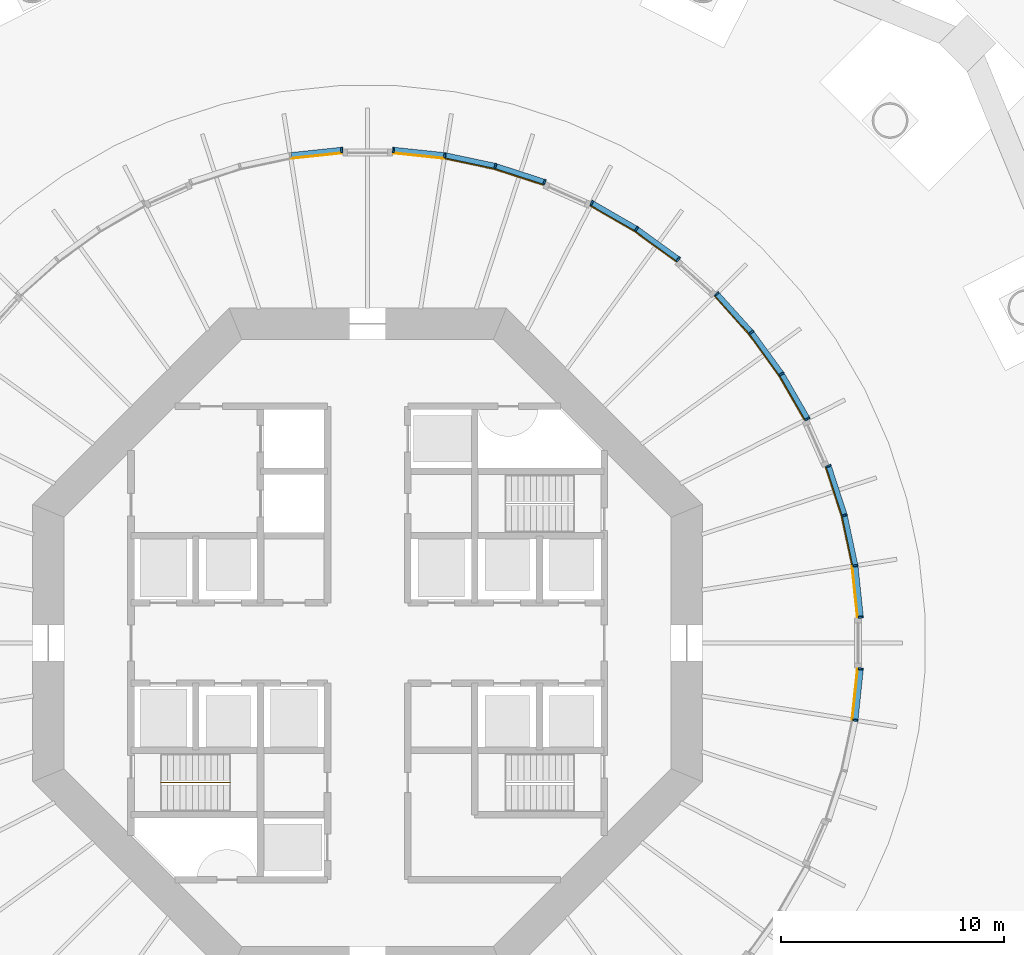
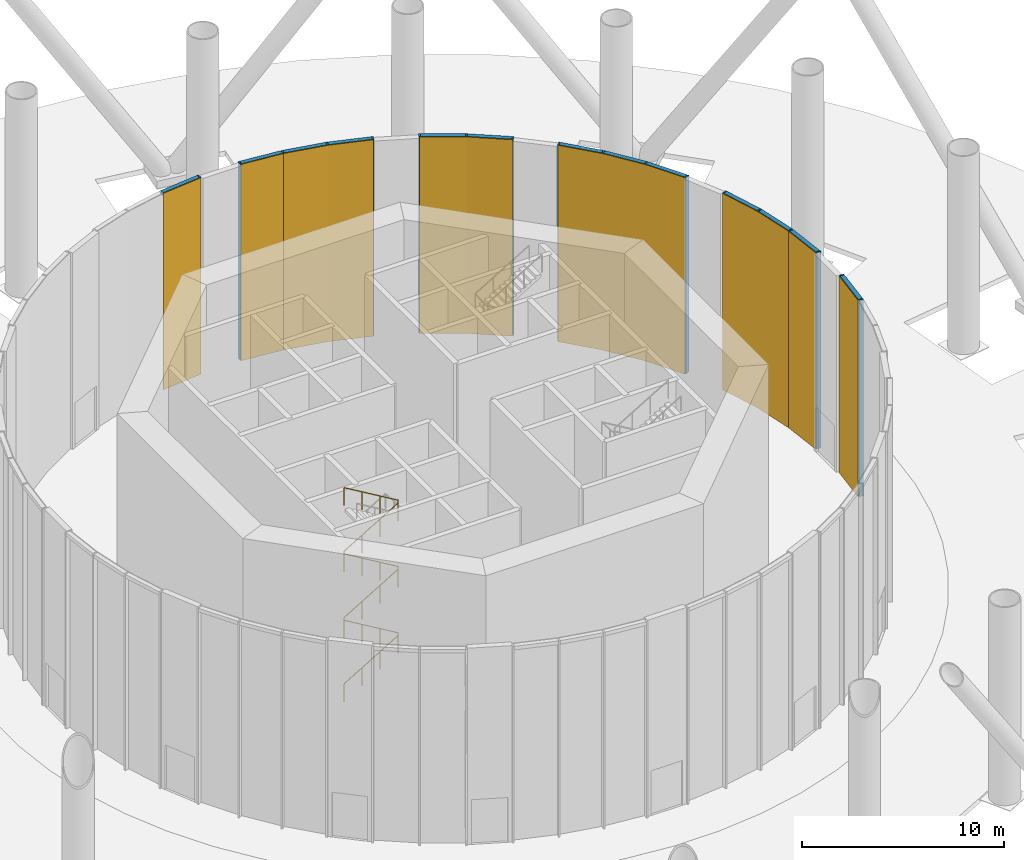
# One storey, part 10 of 12: 31 members, 8 curtain walls, 1 railing.
"""IFC4 building model written with IfcOpenShell, lengths in metres."""

import ifcopenshell
import ifcopenshell.guid

model = None  # the IFC model being written
_history = None  # IfcOwnerHistory: only IFC2X3 demands one
_inside = {}  # id of a spatial element -> (the spatial element, [elements in it])
_under = {}  # id of a project, library or spatial element -> (it, [spatial elements below it])
_declared = {}  # id of a project -> (the project, [libraries it declares])
_typed = {}  # id of a type object -> (the type object, [elements of that type])
_made_of = {}  # id of a material, layer set ... -> (it, [elements and type objects made of it])


def new_model(schema):
    """Start an empty IFC model of exactly this schema.

    Asked for "IFC4X3", IfcOpenShell would pick the latest addendum, in which some entities
    have other attributes; the version numbers below select the first issue.
    IFC2X3 requires an IfcOwnerHistory on every rooted entity: one is made here for all.
    """
    global model, _history
    if schema == "IFC4X3":
        model = ifcopenshell.file(schema_version=(4, 3, 0, 0))
    else:
        model = ifcopenshell.file(schema=schema)
    _inside.clear()
    _under.clear()
    _declared.clear()
    _typed.clear()
    _made_of.clear()
    _history = None
    if model.schema == "IFC2X3":
        org = make("IfcOrganization", Name="unknown")
        user = make(
            "IfcPersonAndOrganization",
            ThePerson=make("IfcPerson", FamilyName="unknown"),
            TheOrganization=org,
        )
        app = make(
            "IfcApplication",
            ApplicationDeveloper=org,
            Version="unknown",
            ApplicationFullName="unknown",
            ApplicationIdentifier="unknown",
        )
        _history = make(
            "IfcOwnerHistory",
            OwningUser=user,
            OwningApplication=app,
            ChangeAction="ADDED",
            CreationDate=0,
        )
    return model


def make(cls, **values):
    """One entity of the class cls with the attributes given. An attribute that is None is left unset."""
    return model.create_entity(
        cls, **{name: value for name, value in values.items() if value is not None}
    )


def rooted(cls, **values):
    """An entity with a GlobalId (a new one), such as an element, a storey or a relation."""
    return make(cls, GlobalId=ifcopenshell.guid.new(), OwnerHistory=_history, **values)


def si_unit(unit_type, name, prefix=None):
    """IfcSIUnit, for example si_unit("LENGTHUNIT", "METRE", prefix="MILLI")."""
    return make("IfcSIUnit", UnitType=unit_type, Prefix=prefix, Name=name)


def assignment(units):
    """IfcUnitAssignment: the units of a project."""
    return None if units is None else make("IfcUnitAssignment", Units=units)


def point(xyz):
    """IfcCartesianPoint."""
    return None if xyz is None else make("IfcCartesianPoint", Coordinates=xyz)


def direction(xyz):
    """IfcDirection."""
    return None if xyz is None else make("IfcDirection", DirectionRatios=xyz)


def frame(location, z_axis=None, x_axis=None):
    """IfcAxis2Placement3D, a coordinate frame: its origin and axes. An axis left out is left unset."""
    return make(
        "IfcAxis2Placement3D",
        Location=point(location),
        Axis=direction(z_axis),
        RefDirection=direction(x_axis),
    )


def frame_2d(location, x_axis=None):
    """IfcAxis2Placement2D, a coordinate frame in the plane: its origin and x axis."""
    return make(
        "IfcAxis2Placement2D", Location=point(location), RefDirection=direction(x_axis)
    )


def origin():
    """The frame at (0, 0, 0) with its axes left unset."""
    return frame((0.0, 0.0, 0.0))


def origin_2d():
    """The frame at (0, 0) in the plane with its x axis left unset."""
    return frame_2d((0.0, 0.0))


def place(relative_to, where):
    """IfcLocalPlacement: puts the frame where relative to a parent placement (None: the world)."""
    return make(
        "IfcLocalPlacement", PlacementRelTo=relative_to, RelativePlacement=where
    )


def context(
    kind, dimensions, precision=None, world=None, true_north=None, identifier=None
):
    """IfcGeometricRepresentationContext, for example the 3D "Model" context."""
    return make(
        "IfcGeometricRepresentationContext",
        ContextIdentifier=identifier,
        ContextType=kind,
        CoordinateSpaceDimension=dimensions,
        Precision=precision,
        WorldCoordinateSystem=world,
        TrueNorth=true_north,
    )


def subcontext(parent, identifier, kind, view, scale=None):
    """IfcGeometricRepresentationSubContext, for example "Body" below "Model"."""
    return make(
        "IfcGeometricRepresentationSubContext",
        ContextIdentifier=identifier,
        ContextType=kind,
        ParentContext=parent,
        TargetScale=scale,
        TargetView=view,
    )


def project(units=None, contexts=None):
    """IfcProject with its units and contexts."""
    return rooted(
        "IfcProject",
        Name="project",
        RepresentationContexts=contexts,
        UnitsInContext=assignment(units),
    )


def spatial(cls, under=None, at=None, **own):
    """A site, building, storey or space (cls), placed at a placement, below another one or the project."""
    s = rooted(cls, ObjectPlacement=at, **own)
    if under is not None:
        _under.setdefault(under.id(), (under, []))[1].append(s)
    return s


def polyline(points):
    """IfcPolyline through the points."""
    return make("IfcPolyline", Points=[point(p) for p in points])


def profile(cls, at=None, kind="AREA", **sizes):
    """A parametric profile (cls). Its sizes go by their IFC names, for example OverallWidth=200.0."""
    return make(cls, ProfileType=kind, Position=at, **sizes)


def rectangle(**sizes):
    """IfcRectangleProfileDef."""
    return profile("IfcRectangleProfileDef", **sizes)


def circle(**sizes):
    """IfcCircleProfileDef."""
    return profile("IfcCircleProfileDef", **sizes)


def outline(outer, holes=None, kind="AREA"):
    """IfcArbitraryClosedProfileDef: a profile drawn as a closed curve; with holes, ...WithVoids."""
    if holes is None:
        return make("IfcArbitraryClosedProfileDef", ProfileType=kind, OuterCurve=outer)
    return make(
        "IfcArbitraryProfileDefWithVoids",
        ProfileType=kind,
        OuterCurve=outer,
        InnerCurves=holes,
    )


def extrude(swept, where, along, depth):
    """IfcExtrudedAreaSolid: the profile swept, set in the frame where, extruded along a direction by depth."""
    return make(
        "IfcExtrudedAreaSolid",
        SweptArea=swept,
        Position=where,
        ExtrudedDirection=direction(along),
        Depth=depth,
    )


def shape(context_of_items, identifier, shape_type, items):
    """IfcShapeRepresentation: the items that make up one representation, for example the "Body"."""
    return make(
        "IfcShapeRepresentation",
        ContextOfItems=context_of_items,
        RepresentationIdentifier=identifier,
        RepresentationType=shape_type,
        Items=items,
    )


def material(Name=None, Category=None):
    """IfcMaterial."""
    return make("IfcMaterial", Name=Name, Category=Category)


def layer(
    of_material, thickness, ventilated=None, Name=None, Category=None, Priority=None
):
    """IfcMaterialLayer: one layer of a wall or slab, of a material (None: an air gap)."""
    return make(
        "IfcMaterialLayer",
        Material=of_material,
        LayerThickness=thickness,
        IsVentilated=ventilated,
        Name=Name,
        Category=Category,
        Priority=Priority,
    )


def layer_set(layers, Name=None):
    """IfcMaterialLayerSet."""
    return make("IfcMaterialLayerSet", MaterialLayers=layers, LayerSetName=Name)


def material_profile(
    of_material, cross_section, Name=None, Category=None, Priority=None
):
    """IfcMaterialProfile: a cross section and its material."""
    return make(
        "IfcMaterialProfile",
        Name=Name,
        Material=of_material,
        Profile=cross_section,
        Priority=Priority,
        Category=Category,
    )


def profile_set(profiles, Name=None, composite=None):
    """IfcMaterialProfileSet."""
    return make(
        "IfcMaterialProfileSet",
        Name=Name,
        MaterialProfiles=profiles,
        CompositeProfile=composite,
    )


def made_of(thing, what):
    """Note that an element or type object is made of a material, layer set ...; save() writes the relation."""
    if what is not None:
        _made_of.setdefault(what.id(), (what, []))[1].append(thing)
    return thing


def type_object(cls, material=None, **own):
    """A type object (cls), such as IfcWallType, which elements share."""
    return made_of(rooted(cls, **own), material)


def element(
    cls,
    number,
    at=None,
    inside=None,
    cuts=None,
    type_object=None,
    material=None,
    context=None,
    identifier="Body",
    shape_type=None,
    held_by="IfcProductDefinitionShape",
    body=None,
    shapes=None,
    **own,
):
    """One element of the class cls, such as IfcWall. Its Tag is "e" and its number.

    at: its placement. inside: the storey or other place that contains it. cuts: it is an
    opening in that element (IfcRelVoidsElement). A single representation is given by context,
    identifier, shape_type and body (its items); several are given by shapes. held_by: the class
    of the entity that holds the representations. save() writes the other relations.
    """
    e = rooted(cls, Tag="e%d" % number, ObjectPlacement=at, **own)
    if body is not None:
        shapes = [shape(context, identifier, shape_type, body)]
    if shapes is not None:
        e.Representation = make(held_by, Representations=shapes)
    if inside is not None:
        _inside.setdefault(inside.id(), (inside, []))[1].append(e)
    if cuts is not None:
        rooted(
            "IfcRelVoidsElement", RelatingBuildingElement=cuts, RelatedOpeningElement=e
        )
    if type_object is not None:
        _typed.setdefault(type_object.id(), (type_object, []))[1].append(e)
    return made_of(e, material)


def aggregate(whole, parts):
    """IfcRelAggregates: a whole, such as a stair, and the parts it consists of."""
    return rooted("IfcRelAggregates", RelatingObject=whole, RelatedObjects=parts)


def save(model, path):
    """Write the relations noted so far, then the file.

    IfcRelAggregates (storeys below a building ...), IfcRelContainedInSpatialStructure (elements
    in a storey), IfcRelDefinesByType, IfcRelAssociatesMaterial and IfcRelDeclares: one each for
    every whole, place, type object, material and project.
    """
    for whole, parts in _under.values():
        aggregate(whole, parts)
    for where, things in _inside.values():
        rooted(
            "IfcRelContainedInSpatialStructure",
            RelatedElements=things,
            RelatingStructure=where,
        )
    for kind, things in _typed.values():
        rooted("IfcRelDefinesByType", RelatedObjects=things, RelatingType=kind)
    for what, things in _made_of.values():
        rooted("IfcRelAssociatesMaterial", RelatedObjects=things, RelatingMaterial=what)
    for by, libraries in _declared.values():
        rooted("IfcRelDeclares", RelatingContext=by, RelatedDefinitions=libraries)
    model.write(path)


model = new_model("IFC4")

# Units and contexts
model_context = context("Model", 3, precision=1e-05, world=origin(), true_north=direction((0.0, 1.0)))
body_context = subcontext(model_context, "Body", "Model", "MODEL_VIEW")
ifc_project = project(units=[si_unit("LENGTHUNIT", "METRE"), si_unit("AREAUNIT", "SQUARE_METRE"), si_unit("VOLUMEUNIT", "CUBIC_METRE"), si_unit("PLANEANGLEUNIT", "RADIAN"), si_unit("MASSUNIT", "GRAM", prefix="KILO")], contexts=[model_context])

# Member
ifc_material_1 = material(Name="Anodised aluminium", Category="aluminium")
ifc_material_profile_1 = material_profile(ifc_material_1, rectangle(XDim=0.080078125, YDim=0.239990234375, at=origin_2d()), Name="Mullion 80 x 240 mm anodised aluminium")
ifc_profile_set_1 = profile_set([ifc_material_profile_1], Name="Anodised aluminium")
member_type_1 = type_object("IfcMemberType", Name="Mullion 80 x 240 mm anodised aluminium", PredefinedType="MULLION", material=ifc_profile_set_1)
site_placement = place(None, origin())
building_placement = place(site_placement, origin())
storey_placement = place(building_placement, origin())
member_1_placement = place(storey_placement, frame((111.84765625, 83.46044921875, 0.0), z_axis=(0.0, 0.0, 1.0), x_axis=(-0.15643446504, 0.987688340595, 0.0)))
member_1 = element("IfcMember", 1, at=member_1_placement, type_object=member_type_1, Name="MULLION L00-00", PredefinedType="MULLION", context=body_context, shape_type="SweptSolid", body=[
    extrude(rectangle(XDim=0.080078125, YDim=0.239990234375, at=origin_2d()), origin(), (0.0, 0.0, 1.0), 11.85009765625),
])

member_2_placement = place(storey_placement, frame((111.3662109375, 85.72509765625, 0.0), z_axis=(0.0, 0.0, 1.0), x_axis=(-0.258819045103, 0.965925826289, 0.0)))
member_2 = element("IfcMember", 2, at=member_2_placement, type_object=member_type_1, Name="MULLION L00-01", PredefinedType="MULLION", context=body_context, shape_type="SweptSolid", body=[
    extrude(rectangle(XDim=0.080078125, YDim=0.239990234375, at=origin_2d()), origin(), (0.0, 0.0, 1.0), 11.85009765625),
])

member_3_placement = place(storey_placement, frame((110.65087890625, 87.927001953125, 0.0), z_axis=(0.0, 0.0, 1.0), x_axis=(-0.358367949545, 0.933580426497, 0.0)))
member_3 = element("IfcMember", 3, at=member_3_placement, type_object=member_type_1, Name="MULLION L00-02", PredefinedType="MULLION", context=body_context, shape_type="SweptSolid", body=[
    extrude(rectangle(XDim=0.080078125, YDim=0.239990234375, at=origin_2d()), origin(), (0.0, 0.0, 1.0), 11.85009765625),
])

member_4_placement = place(storey_placement, frame((109.708984375, 90.042236328125, 0.0), z_axis=(0.0, 0.0, 1.0), x_axis=(-0.45399049974, 0.891006524188, 0.0)))
member_4 = element("IfcMember", 4, at=member_4_placement, type_object=member_type_1, Name="MULLION L00-03", PredefinedType="MULLION", context=body_context, shape_type="SweptSolid", body=[
    extrude(rectangle(XDim=0.080078125, YDim=0.239990234375, at=origin_2d()), origin(), (0.0, 0.0, 1.0), 11.85009765625),
])

member_5_placement = place(storey_placement, frame((108.551513671875, 92.04736328125, 0.0), z_axis=(0.0, 0.0, 1.0), x_axis=(-0.544639035015, 0.838670567945, 0.0)))
member_5 = element("IfcMember", 5, at=member_5_placement, type_object=member_type_1, Name="MULLION L00-04", PredefinedType="MULLION", context=body_context, shape_type="SweptSolid", body=[
    extrude(rectangle(XDim=0.080078125, YDim=0.239990234375, at=origin_2d()), origin(), (0.0, 0.0, 1.0), 11.85009765625),
])

member_6_placement = place(storey_placement, frame((107.1904296875, 93.920654296875, 0.0), z_axis=(0.0, 0.0, 1.0), x_axis=(-0.62932039105, 0.777145961457, 0.0)))
member_6 = element("IfcMember", 6, at=member_6_placement, type_object=member_type_1, Name="MULLION L00-05", PredefinedType="MULLION", context=body_context, shape_type="SweptSolid", body=[
    extrude(rectangle(XDim=0.080078125, YDim=0.239990234375, at=origin_2d()), origin(), (0.0, 0.0, 1.0), 11.85009765625),
])

member_7_placement = place(storey_placement, frame((105.64111328125, 95.64111328125, 0.0), z_axis=(0.0, 0.0, 1.0), x_axis=(-0.707106781187, 0.707106781187, 0.0)))
member_7 = element("IfcMember", 7, at=member_7_placement, type_object=member_type_1, Name="MULLION L00-06", PredefinedType="MULLION", context=body_context, shape_type="SweptSolid", body=[
    extrude(rectangle(XDim=0.080078125, YDim=0.239990234375, at=origin_2d()), origin(), (0.0, 0.0, 1.0), 11.85009765625),
])

member_8_placement = place(storey_placement, frame((103.920654296875, 97.1904296875, 0.0), z_axis=(0.0, 0.0, 1.0), x_axis=(-0.777145961457, 0.62932039105, 0.0)))
member_8 = element("IfcMember", 8, at=member_8_placement, type_object=member_type_1, Name="MULLION L00-07", PredefinedType="MULLION", context=body_context, shape_type="SweptSolid", body=[
    extrude(rectangle(XDim=0.080078125, YDim=0.239990234375, at=origin_2d()), origin(), (0.0, 0.0, 1.0), 11.85009765625),
])

member_9_placement = place(storey_placement, frame((102.04736328125, 98.551513671875, 0.0), z_axis=(0.0, 0.0, 1.0), x_axis=(-0.838670567945, 0.544639035015, 0.0)))
member_9 = element("IfcMember", 9, at=member_9_placement, type_object=member_type_1, Name="MULLION L00-08", PredefinedType="MULLION", context=body_context, shape_type="SweptSolid", body=[
    extrude(rectangle(XDim=0.080078125, YDim=0.239990234375, at=origin_2d()), origin(), (0.0, 0.0, 1.0), 11.85009765625),
])

member_10_placement = place(storey_placement, frame((100.042236328125, 99.708984375, 0.0), z_axis=(0.0, 0.0, 1.0), x_axis=(-0.891006524188, 0.45399049974, 0.0)))
member_10 = element("IfcMember", 10, at=member_10_placement, type_object=member_type_1, Name="MULLION L00-09", PredefinedType="MULLION", context=body_context, shape_type="SweptSolid", body=[
    extrude(rectangle(XDim=0.080078125, YDim=0.239990234375, at=origin_2d()), origin(), (0.0, 0.0, 1.0), 11.85009765625),
])

member_11_placement = place(storey_placement, frame((97.927001953125, 100.65087890625, 0.0), z_axis=(0.0, 0.0, 1.0), x_axis=(-0.933580426497, 0.358367949545, 0.0)))
member_11 = element("IfcMember", 11, at=member_11_placement, type_object=member_type_1, Name="MULLION L00-10", PredefinedType="MULLION", context=body_context, shape_type="SweptSolid", body=[
    extrude(rectangle(XDim=0.080078125, YDim=0.239990234375, at=origin_2d()), origin(), (0.0, 0.0, 1.0), 11.85009765625),
])

member_12_placement = place(storey_placement, frame((95.72509765625, 101.3662109375, 0.0), z_axis=(0.0, 0.0, 1.0), x_axis=(-0.965925826289, 0.258819045103, 0.0)))
member_12 = element("IfcMember", 12, at=member_12_placement, type_object=member_type_1, Name="MULLION L00-11", PredefinedType="MULLION", context=body_context, shape_type="SweptSolid", body=[
    extrude(rectangle(XDim=0.080078125, YDim=0.239990234375, at=origin_2d()), origin(), (0.0, 0.0, 1.0), 11.85009765625),
])

member_13_placement = place(storey_placement, frame((93.46044921875, 101.84765625, 0.0), z_axis=(0.0, 0.0, 1.0), x_axis=(-0.987688340595, 0.15643446504, 0.0)))
member_13 = element("IfcMember", 13, at=member_13_placement, type_object=member_type_1, Name="MULLION L00-12", PredefinedType="MULLION", context=body_context, shape_type="SweptSolid", body=[
    extrude(rectangle(XDim=0.080078125, YDim=0.239990234375, at=origin_2d()), origin(), (0.0, 0.0, 1.0), 11.85009765625),
])

member_14_placement = place(storey_placement, frame((91.15771484375, 102.089599609375, 0.0), z_axis=(0.0, 0.0, 1.0), x_axis=(-0.998629534755, 0.052335956243, 0.0)))
member_14 = element("IfcMember", 14, at=member_14_placement, type_object=member_type_1, Name="MULLION L00-13", PredefinedType="MULLION", context=body_context, shape_type="SweptSolid", body=[
    extrude(rectangle(XDim=0.080078125, YDim=0.239990234375, at=origin_2d()), origin(), (0.0, 0.0, 1.0), 11.85009765625),
])

member_15_placement = place(storey_placement, frame((88.84228515625, 102.089599609375, 0.0), z_axis=(0.0, 0.0, 1.0), x_axis=(-0.998629534755, -0.052335956243, 0.0)))
member_15 = element("IfcMember", 15, at=member_15_placement, type_object=member_type_1, Name="MULLION L00-14", PredefinedType="MULLION", context=body_context, shape_type="SweptSolid", body=[
    extrude(rectangle(XDim=0.080078125, YDim=0.239990234375, at=origin_2d()), origin(), (0.0, 0.0, 1.0), 11.85009765625),
])

member_16_placement = place(storey_placement, frame((111.84765625, 76.53955078125, 0.0), z_axis=(0.0, 0.0, 1.0), x_axis=(0.15643446504, 0.987688340595, 0.0)))
member_16 = element("IfcMember", 16, at=member_16_placement, type_object=member_type_1, Name="MULLION L00-57", PredefinedType="MULLION", context=body_context, shape_type="SweptSolid", body=[
    extrude(rectangle(XDim=0.080078125, YDim=0.239990234375, at=origin_2d()), origin(), (0.0, 0.0, 1.0), 11.85009765625),
])

member_17_placement = place(storey_placement, frame((112.089599609375, 78.84228515625, 0.0), z_axis=(0.0, 0.0, 1.0), x_axis=(0.052335956243, 0.998629534755, 0.0)))
member_17 = element("IfcMember", 17, at=member_17_placement, type_object=member_type_1, Name="MULLION L00-58", PredefinedType="MULLION", context=body_context, shape_type="SweptSolid", body=[
    extrude(rectangle(XDim=0.080078125, YDim=0.239990234375, at=origin_2d()), origin(), (0.0, 0.0, 1.0), 11.85009765625),
])

member_18_placement = place(storey_placement, frame((112.089599609375, 81.15771484375, 0.0), z_axis=(0.0, 0.0, 1.0), x_axis=(-0.052335956243, 0.998629534755, 0.0)))
member_18 = element("IfcMember", 18, at=member_18_placement, type_object=member_type_1, Name="MULLION L00-59", PredefinedType="MULLION", context=body_context, shape_type="SweptSolid", body=[
    extrude(rectangle(XDim=0.080078125, YDim=0.239990234375, at=origin_2d()), origin(), (0.0, 0.0, 1.0), 11.85009765625),
])

ifc_material_2 = material(Name="Anodised aluminium", Category="aluminium")
ifc_material_profile_2 = material_profile(ifc_material_2, rectangle(XDim=0.239990234375, YDim=0.219970703125, at=origin_2d()), Name="Transom 220 x 240 mm anodised aluminium")
ifc_profile_set_2 = profile_set([ifc_material_profile_2], Name="Anodised aluminium")
member_type_2 = type_object("IfcMemberType", Name="Transom 220 x 240 mm anodised aluminium", PredefinedType="USERDEFINED", material=ifc_profile_set_2)
member_19_placement = place(storey_placement, frame((111.838134765625, 83.505615234375, 11.739990234375), z_axis=(-0.207908670929, 0.978148242626, 0.0), x_axis=(-0.978148242626, -0.207908670929, 0.0)))
member_19 = element("IfcMember", 19, at=member_19_placement, type_object=member_type_2, Name="TRANSOM L00-00", ObjectType="TRANSOM", PredefinedType="USERDEFINED", context=body_context, shape_type="SweptSolid", body=[
    extrude(rectangle(XDim=0.239990234375, YDim=0.219970703125, at=origin_2d()), origin(), (0.0, 0.0, 1.0), 2.222900390625),
])

member_20_placement = place(storey_placement, frame((111.35205078125, 85.76904296875, 11.739990234375), z_axis=(-0.308969341841, 0.951071998222, 0.0), x_axis=(-0.951071998222, -0.308969341841, 0.0)))
member_20 = element("IfcMember", 20, at=member_20_placement, type_object=member_type_2, Name="TRANSOM L00-01", ObjectType="TRANSOM", PredefinedType="USERDEFINED", context=body_context, shape_type="SweptSolid", body=[
    extrude(rectangle(XDim=0.239990234375, YDim=0.219970703125, at=origin_2d()), origin(), (0.0, 0.0, 1.0), 2.22265625),
])

member_21_placement = place(storey_placement, frame((109.68603515625, 90.08251953125, 11.739990234375), z_axis=(-0.500014044516, 0.866017295027, 0.0), x_axis=(-0.866017295027, -0.500014044516, 0.0)))
member_21 = element("IfcMember", 21, at=member_21_placement, type_object=member_type_2, Name="TRANSOM L00-03", ObjectType="TRANSOM", PredefinedType="USERDEFINED", context=body_context, shape_type="SweptSolid", body=[
    extrude(rectangle(XDim=0.239990234375, YDim=0.219970703125, at=origin_2d()), origin(), (0.0, 0.0, 1.0), 2.22265625),
])

member_22_placement = place(storey_placement, frame((108.5244140625, 92.0849609375, 11.739990234375), z_axis=(-0.587805935954, 0.809001966412, 0.0), x_axis=(-0.809001966412, -0.587805935954, 0.0)))
member_22 = element("IfcMember", 22, at=member_22_placement, type_object=member_type_2, Name="TRANSOM L00-04", ObjectType="TRANSOM", PredefinedType="USERDEFINED", context=body_context, shape_type="SweptSolid", body=[
    extrude(rectangle(XDim=0.239990234375, YDim=0.219970703125, at=origin_2d()), origin(), (0.0, 0.0, 1.0), 2.222900390625),
])

member_23_placement = place(storey_placement, frame((107.15966796875, 93.955078125, 11.739990234375), z_axis=(-0.669122492394, 0.743152131244, 0.0), x_axis=(-0.743152131244, -0.669122492394, 0.0)))
member_23 = element("IfcMember", 23, at=member_23_placement, type_object=member_type_2, Name="TRANSOM L00-05", ObjectType="TRANSOM", PredefinedType="USERDEFINED", context=body_context, shape_type="SweptSolid", body=[
    extrude(rectangle(XDim=0.239990234375, YDim=0.219970703125, at=origin_2d()), origin(), (0.0, 0.0, 1.0), 2.22265625),
])

member_24_placement = place(storey_placement, frame((103.88330078125, 97.2177734375, 11.739990234375), z_axis=(-0.809001966412, 0.587805935954, 0.0), x_axis=(-0.587805935954, -0.809001966412, 0.0)))
member_24 = element("IfcMember", 24, at=member_24_placement, type_object=member_type_2, Name="TRANSOM L00-07", ObjectType="TRANSOM", PredefinedType="USERDEFINED", context=body_context, shape_type="SweptSolid", body=[
    extrude(rectangle(XDim=0.239990234375, YDim=0.219970703125, at=origin_2d()), origin(), (0.0, 0.0, 1.0), 2.222900390625),
])

member_25_placement = place(storey_placement, frame((102.00732421875, 98.57470703125, 11.739990234375), z_axis=(-0.866017295027, 0.500014044516, 0.0), x_axis=(-0.500014044516, -0.866017295027, 0.0)))
member_25 = element("IfcMember", 25, at=member_25_placement, type_object=member_type_2, Name="TRANSOM L00-08", ObjectType="TRANSOM", PredefinedType="USERDEFINED", context=body_context, shape_type="SweptSolid", body=[
    extrude(rectangle(XDim=0.239990234375, YDim=0.219970703125, at=origin_2d()), origin(), (0.0, 0.0, 1.0), 2.22265625),
])

member_26_placement = place(storey_placement, frame((97.883056640625, 100.665283203125, 11.739990234375), z_axis=(-0.951071998222, 0.308969341841, 0.0), x_axis=(-0.308969341841, -0.951071998222, 0.0)))
member_26 = element("IfcMember", 26, at=member_26_placement, type_object=member_type_2, Name="TRANSOM L00-10", ObjectType="TRANSOM", PredefinedType="USERDEFINED", context=body_context, shape_type="SweptSolid", body=[
    extrude(rectangle(XDim=0.239990234375, YDim=0.219970703125, at=origin_2d()), origin(), (0.0, 0.0, 1.0), 2.22265625),
])

member_27_placement = place(storey_placement, frame((95.679931640625, 101.3759765625, 11.739990234375), z_axis=(-0.978148242626, 0.207908670929, 0.0), x_axis=(-0.207908670929, -0.978148242626, 0.0)))
member_27 = element("IfcMember", 27, at=member_27_placement, type_object=member_type_2, Name="TRANSOM L00-11", ObjectType="TRANSOM", PredefinedType="USERDEFINED", context=body_context, shape_type="SweptSolid", body=[
    extrude(rectangle(XDim=0.239990234375, YDim=0.219970703125, at=origin_2d()), origin(), (0.0, 0.0, 1.0), 2.222900390625),
])

member_28_placement = place(storey_placement, frame((93.414306640625, 101.852783203125, 11.739990234375), z_axis=(-0.994530099915, 0.104450372724, 0.0), x_axis=(-0.104450372724, -0.994530099915, 0.0)))
member_28 = element("IfcMember", 28, at=member_28_placement, type_object=member_type_2, Name="TRANSOM L00-12", ObjectType="TRANSOM", PredefinedType="USERDEFINED", context=body_context, shape_type="SweptSolid", body=[
    extrude(rectangle(XDim=0.239990234375, YDim=0.219970703125, at=origin_2d()), origin(), (0.0, 0.0, 1.0), 2.222900390625),
])

member_29_placement = place(storey_placement, frame((88.79638671875, 102.0849609375, 11.739990234375), z_axis=(-0.994530099915, -0.104450372724, 0.0), x_axis=(0.104450372724, -0.994530099915, 0.0)))
member_29 = element("IfcMember", 29, at=member_29_placement, type_object=member_type_2, Name="TRANSOM L00-14", ObjectType="TRANSOM", PredefinedType="USERDEFINED", context=body_context, shape_type="SweptSolid", body=[
    extrude(rectangle(XDim=0.239990234375, YDim=0.219970703125, at=origin_2d()), origin(), (0.0, 0.0, 1.0), 2.222900390625),
])

member_30_placement = place(storey_placement, frame((111.852783203125, 76.585693359375, 11.739990234375), z_axis=(0.104450372724, 0.994530099915, 0.0), x_axis=(-0.994530099915, 0.104450372724, 0.0)))
member_30 = element("IfcMember", 30, at=member_30_placement, type_object=member_type_2, Name="TRANSOM L00-57", ObjectType="TRANSOM", PredefinedType="USERDEFINED", context=body_context, shape_type="SweptSolid", body=[
    extrude(rectangle(XDim=0.239990234375, YDim=0.219970703125, at=origin_2d()), origin(), (0.0, 0.0, 1.0), 2.222900390625),
])

member_31_placement = place(storey_placement, frame((112.0849609375, 81.20361328125, 11.739990234375), z_axis=(-0.104450372724, 0.994530099915, 0.0), x_axis=(-0.994530099915, -0.104450372724, 0.0)))
member_31 = element("IfcMember", 31, at=member_31_placement, type_object=member_type_2, Name="TRANSOM L00-59", ObjectType="TRANSOM", PredefinedType="USERDEFINED", context=body_context, shape_type="SweptSolid", body=[
    extrude(rectangle(XDim=0.239990234375, YDim=0.219970703125, at=origin_2d()), origin(), (0.0, 0.0, 1.0), 2.222900390625),
])

# Site, building, storey
site = spatial("IfcSite", under=ifc_project, at=site_placement, CompositionType="ELEMENT")
building = spatial("IfcBuilding", under=site, at=building_placement, Name="Entoto Ring Tower", CompositionType="ELEMENT")
storey = spatial("IfcBuildingStorey", under=building, at=storey_placement, Name="L00", CompositionType="ELEMENT", Elevation=0.0)

# Curtain wall
ifc_material_3 = material(Name="Clear low-iron glass", Category="glass")
ifc_layer = layer(ifc_material_3, 0.0439453125)
ifc_layer_set = layer_set([ifc_layer], Name="Clear low-iron glass")
curtain_wall_type = type_object("IfcCurtainWallType", Name="Curtain wall system CW8 glazing 44 mm", PredefinedType="NOTDEFINED", material=ifc_layer_set)
curtain_wall_1_placement = place(storey_placement, origin())
curtain_wall_1 = element("IfcCurtainWall", 32, at=curtain_wall_1_placement, inside=storey, type_object=curtain_wall_type, Name="CW8 L00-01a", PredefinedType="NOTDEFINED", context=body_context, shape_type="SweptSolid", body=[
    extrude(outline(polyline([(111.729248046875, 83.441650390625), (111.25048828125, 85.694091796875), (110.538818359375, 87.884033203125), (110.49755859375, 87.868408203125), (111.207763671875, 85.6826171875), (111.685546875, 83.4345703125), (111.729248046875, 83.441650390625)])), origin(), (0.0, 0.0, 1.0), 11.85009765625),
])

aggregate(curtain_wall_1, [member_1, member_2, member_3, member_19, member_20])

curtain_wall_2_placement = place(storey_placement, origin())
curtain_wall_2 = element("IfcCurtainWall", 33, at=curtain_wall_2_placement, inside=storey, type_object=curtain_wall_type, Name="CW8 L00-02", PredefinedType="NOTDEFINED", context=body_context, shape_type="SweptSolid", body=[
    extrude(outline(polyline([(109.60205078125, 89.98779296875), (108.45068359375, 91.982177734375), (107.09716796875, 93.844970703125), (105.556396484375, 95.556396484375), (105.525146484375, 95.525146484375), (107.06298828125, 93.8173828125), (108.413818359375, 91.9580078125), (109.56298828125, 89.9677734375), (109.60205078125, 89.98779296875)])), origin(), (0.0, 0.0, 1.0), 11.85009765625),
])

aggregate(curtain_wall_2, [member_4, member_5, member_6, member_7, member_21, member_22, member_23])

curtain_wall_3_placement = place(storey_placement, origin())
curtain_wall_3 = element("IfcCurtainWall", 34, at=curtain_wall_3_placement, inside=storey, type_object=curtain_wall_type, Name="CW8 L00-03a", PredefinedType="NOTDEFINED", context=body_context, shape_type="SweptSolid", body=[
    extrude(outline(polyline([(103.844970703125, 97.09716796875), (101.982177734375, 98.45068359375), (99.98779296875, 99.60205078125), (99.9677734375, 99.56298828125), (101.9580078125, 98.413818359375), (103.8173828125, 97.06298828125), (103.844970703125, 97.09716796875)])), origin(), (0.0, 0.0, 1.0), 11.85009765625),
])

aggregate(curtain_wall_3, [member_8, member_9, member_10, member_24, member_25])

curtain_wall_4_placement = place(storey_placement, origin())
curtain_wall_4 = element("IfcCurtainWall", 35, at=curtain_wall_4_placement, inside=storey, type_object=curtain_wall_type, Name="CW8 L00-04a", PredefinedType="NOTDEFINED", context=body_context, shape_type="SweptSolid", body=[
    extrude(outline(polyline([(97.884033203125, 100.538818359375), (95.694091796875, 101.25048828125), (93.441650390625, 101.729248046875), (93.4345703125, 101.685546875), (95.6826171875, 101.207763671875), (97.868408203125, 100.49755859375), (97.884033203125, 100.538818359375)])), origin(), (0.0, 0.0, 1.0), 11.85009765625),
])

aggregate(curtain_wall_4, [member_11, member_12, member_26, member_27])

curtain_wall_5_placement = place(storey_placement, origin())
curtain_wall_5 = element("IfcCurtainWall", 36, at=curtain_wall_5_placement, inside=storey, type_object=curtain_wall_type, Name="CW8 L00-05a", PredefinedType="NOTDEFINED", context=body_context, shape_type="SweptSolid", body=[
    extrude(outline(polyline([(93.441650390625, 101.729248046875), (91.1513671875, 101.969970703125), (91.149169921875, 101.92578125), (93.4345703125, 101.685546875), (93.441650390625, 101.729248046875)])), origin(), (0.0, 0.0, 1.0), 11.85009765625),
])

aggregate(curtain_wall_5, [member_13, member_14, member_28])

curtain_wall_6_placement = place(storey_placement, origin())
curtain_wall_6 = element("IfcCurtainWall", 37, at=curtain_wall_6_placement, inside=storey, type_object=curtain_wall_type, Name="CW8 L00-05b", PredefinedType="NOTDEFINED", context=body_context, shape_type="SweptSolid", body=[
    extrude(outline(polyline([(88.8486328125, 101.969970703125), (86.558349609375, 101.729248046875), (86.5654296875, 101.685546875), (88.850830078125, 101.92578125), (88.8486328125, 101.969970703125)])), origin(), (0.0, 0.0, 1.0), 11.85009765625),
])

aggregate(curtain_wall_6, [member_15, member_29])

curtain_wall_7_placement = place(storey_placement, origin())
curtain_wall_7 = element("IfcCurtainWall", 38, at=curtain_wall_7_placement, inside=storey, type_object=curtain_wall_type, Name="CW8 L00-20a", PredefinedType="NOTDEFINED", context=body_context, shape_type="SweptSolid", body=[
    extrude(outline(polyline([(111.729248046875, 76.558349609375), (111.969970703125, 78.8486328125), (111.92578125, 78.850830078125), (111.685546875, 76.5654296875), (111.729248046875, 76.558349609375)])), origin(), (0.0, 0.0, 1.0), 11.85009765625),
])

aggregate(curtain_wall_7, [member_16, member_17, member_30])

curtain_wall_8_placement = place(storey_placement, origin())
curtain_wall_8 = element("IfcCurtainWall", 39, at=curtain_wall_8_placement, inside=storey, type_object=curtain_wall_type, Name="CW8 L00-20b", PredefinedType="NOTDEFINED", context=body_context, shape_type="SweptSolid", body=[
    extrude(outline(polyline([(111.969970703125, 81.1513671875), (111.729248046875, 83.441650390625), (111.685546875, 83.4345703125), (111.92578125, 81.149169921875), (111.969970703125, 81.1513671875)])), origin(), (0.0, 0.0, 1.0), 11.85009765625),
])

aggregate(curtain_wall_8, [member_18, member_31])

# Railing
ifc_material_4 = material(Name="Steel S275", Category="steel")
railing_type = type_object("IfcRailingType", Name="Stair guard 1100 mm steel", PredefinedType="GUARDRAIL", material=ifc_material_4)
railing_placement = place(storey_placement, frame((80.75, 73.75, 0.166748046875)))
element("IfcRailing", 40, at=railing_placement, inside=storey, type_object=railing_type, Name="Guard ST2", PredefinedType="GUARDRAIL", context=body_context, shape_type="SweptSolid", body=[
    extrude(circle(Radius=0.02392578125, at=origin_2d()), frame((0.0, 0.0, 1.076171875), z_axis=(0.859308565015, 0.0, 0.511457515432), x_axis=(0.0, 1.0, 0.0)), (0.0, 0.0, 1.0), 3.58447265625),
    extrude(circle(Radius=0.02392578125, at=origin_2d()), frame((3.080078125, 0.0, 2.9091796875), z_axis=(0.0, 0.0, 1.0), x_axis=(1.0, 0.0, 0.0)), (0.0, 0.0, 1.0), 0.166748046875),
    extrude(circle(Radius=0.02392578125, at=origin_2d()), frame((3.080078125, 0.0, 3.076171875), z_axis=(-0.859308565015, 0.0, 0.511457515432), x_axis=(0.0, -1.0, 0.0)), (0.0, 0.0, 1.0), 3.58447265625),
    extrude(circle(Radius=0.02392578125, at=origin_2d()), frame((0.0, 0.0, 4.9091796875), z_axis=(0.0, 0.0, 1.0), x_axis=(1.0, 0.0, 0.0)), (0.0, 0.0, 1.0), 0.166748046875),
    extrude(circle(Radius=0.02392578125, at=origin_2d()), frame((0.0, 0.0, 5.076171875), z_axis=(0.859308565015, 0.0, 0.511457515432), x_axis=(0.0, 1.0, 0.0)), (0.0, 0.0, 1.0), 3.58447265625),
    extrude(circle(Radius=0.02392578125, at=origin_2d()), frame((3.080078125, 0.0, 6.9091796875), z_axis=(0.0, 0.0, 1.0), x_axis=(1.0, 0.0, 0.0)), (0.0, 0.0, 1.0), 0.166748046875),
    extrude(circle(Radius=0.02392578125, at=origin_2d()), frame((3.080078125, 0.0, 7.076171875), z_axis=(-0.859308565015, 0.0, 0.511457515432), x_axis=(0.0, -1.0, 0.0)), (0.0, 0.0, 1.0), 3.58447265625),
    extrude(circle(Radius=0.02392578125, at=origin_2d()), frame((0.0, 0.0, 8.9091796875), z_axis=(0.0, 0.0, 1.0), x_axis=(1.0, 0.0, 0.0)), (0.0, 0.0, 1.0), 0.166748046875),
    extrude(circle(Radius=0.02392578125, at=origin_2d()), frame((0.0, 0.0, 9.076171875), z_axis=(0.859308565015, 0.0, 0.511457515432), x_axis=(0.0, 1.0, 0.0)), (0.0, 0.0, 1.0), 3.58447265625),
    extrude(circle(Radius=0.02392578125, at=origin_2d()), frame((3.080078125, 0.0, 10.9091796875), z_axis=(0.0, 0.0, 1.0), x_axis=(1.0, 0.0, 0.0)), (0.0, 0.0, 1.0), 0.166748046875),
    extrude(circle(Radius=0.02392578125, at=origin_2d()), frame((3.080078125, 0.0, 11.076171875), z_axis=(-0.859308565015, 0.0, 0.511457515432), x_axis=(0.0, -1.0, 0.0)), (0.0, 0.0, 1.0), 3.58447265625),
    extrude(circle(Radius=0.02099609375, at=origin_2d()), origin(), (0.0, 0.0, 1.0), 1.052001953125),
    extrude(circle(Radius=0.02099609375, at=origin_2d()), frame((1.026611328125, 0.0, 0.611083984375)), (0.0, 0.0, 1.0), 1.052001953125),
    extrude(circle(Radius=0.02099609375, at=origin_2d()), frame((2.053466796875, 0.0, 1.22216796875)), (0.0, 0.0, 1.0), 1.052001953125),
    extrude(circle(Radius=0.02099609375, at=origin_2d()), frame((3.080078125, 0.0, 1.833251953125)), (0.0, 0.0, 1.0), 1.052001953125),
    extrude(circle(Radius=0.02099609375, at=origin_2d()), frame((3.080078125, 0.0, 2.0)), (0.0, 0.0, 1.0), 1.052001953125),
    extrude(circle(Radius=0.02099609375, at=origin_2d()), frame((2.053466796875, 0.0, 2.611083984375)), (0.0, 0.0, 1.0), 1.052001953125),
    extrude(circle(Radius=0.02099609375, at=origin_2d()), frame((1.026611328125, 0.0, 3.22216796875)), (0.0, 0.0, 1.0), 1.052001953125),
    extrude(circle(Radius=0.02099609375, at=origin_2d()), frame((0.0, 0.0, 3.833251953125)), (0.0, 0.0, 1.0), 1.052001953125),
    extrude(circle(Radius=0.02099609375, at=origin_2d()), frame((0.0, 0.0, 4.0)), (0.0, 0.0, 1.0), 1.052001953125),
    extrude(circle(Radius=0.02099609375, at=origin_2d()), frame((1.026611328125, 0.0, 4.611083984375)), (0.0, 0.0, 1.0), 1.052001953125),
    extrude(circle(Radius=0.02099609375, at=origin_2d()), frame((2.053466796875, 0.0, 5.22216796875)), (0.0, 0.0, 1.0), 1.052001953125),
    extrude(circle(Radius=0.02099609375, at=origin_2d()), frame((3.080078125, 0.0, 5.833251953125)), (0.0, 0.0, 1.0), 1.052001953125),
    extrude(circle(Radius=0.02099609375, at=origin_2d()), frame((3.080078125, 0.0, 6.0)), (0.0, 0.0, 1.0), 1.052001953125),
    extrude(circle(Radius=0.02099609375, at=origin_2d()), frame((2.053466796875, 0.0, 6.611083984375)), (0.0, 0.0, 1.0), 1.052001953125),
    extrude(circle(Radius=0.02099609375, at=origin_2d()), frame((1.026611328125, 0.0, 7.22216796875)), (0.0, 0.0, 1.0), 1.052001953125),
    extrude(circle(Radius=0.02099609375, at=origin_2d()), frame((0.0, 0.0, 7.833251953125)), (0.0, 0.0, 1.0), 1.052001953125),
    extrude(circle(Radius=0.02099609375, at=origin_2d()), frame((0.0, 0.0, 8.0)), (0.0, 0.0, 1.0), 1.052001953125),
    extrude(circle(Radius=0.02099609375, at=origin_2d()), frame((1.026611328125, 0.0, 8.611083984375)), (0.0, 0.0, 1.0), 1.052001953125),
    extrude(circle(Radius=0.02099609375, at=origin_2d()), frame((2.053466796875, 0.0, 9.22216796875)), (0.0, 0.0, 1.0), 1.052001953125),
    extrude(circle(Radius=0.02099609375, at=origin_2d()), frame((3.080078125, 0.0, 9.833251953125)), (0.0, 0.0, 1.0), 1.052001953125),
    extrude(circle(Radius=0.02099609375, at=origin_2d()), frame((3.080078125, 0.0, 10.0)), (0.0, 0.0, 1.0), 1.052001953125),
    extrude(circle(Radius=0.02099609375, at=origin_2d()), frame((2.053466796875, 0.0, 10.611083984375)), (0.0, 0.0, 1.0), 1.052001953125),
    extrude(circle(Radius=0.02099609375, at=origin_2d()), frame((1.026611328125, 0.0, 11.22216796875)), (0.0, 0.0, 1.0), 1.052001953125),
    extrude(circle(Radius=0.02099609375, at=origin_2d()), frame((0.0, 0.0, 11.833251953125)), (0.0, 0.0, 1.0), 1.052001953125),
])

save(model, "model.ifc")
